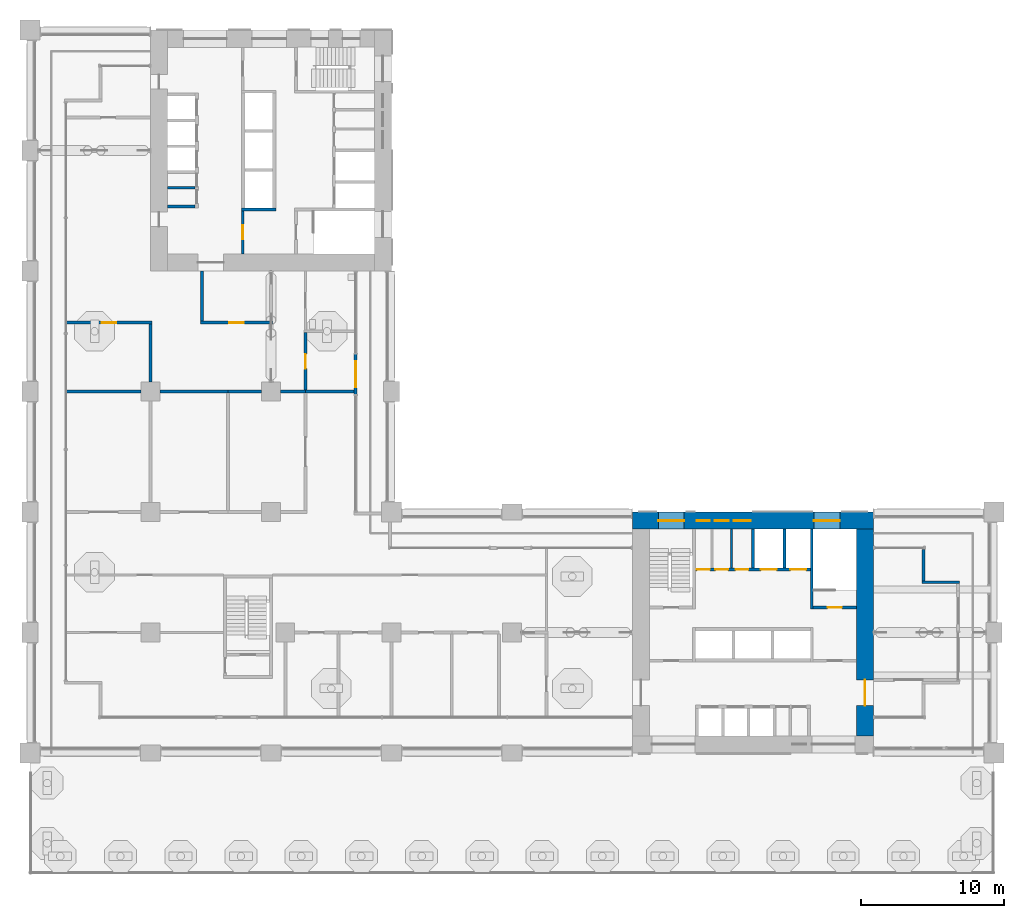
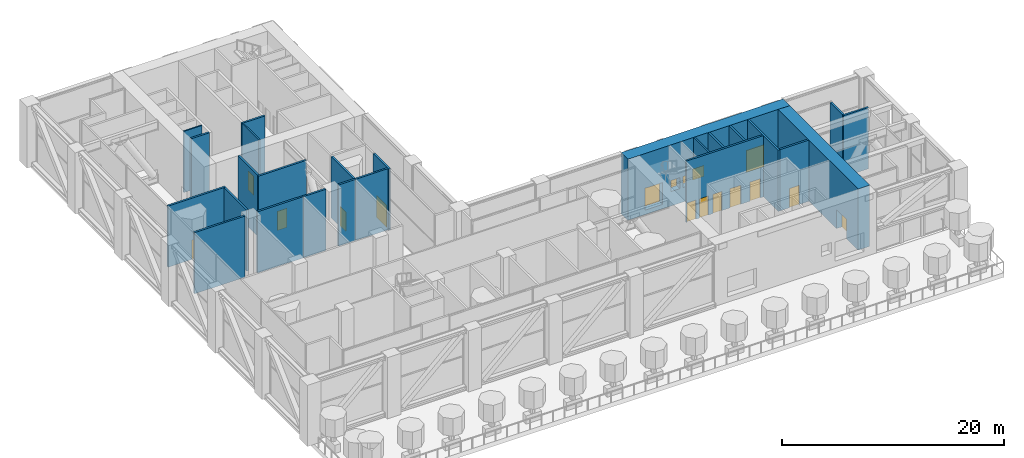
# One storey, part 12 of 28: 25 walls, 12 doors, 5 windows, 17 openings.
"""IFC4 building model written with IfcOpenShell, lengths in metres."""

from ifc_helpers import new_model, si_unit, direction, frame, frame_2d, origin, place, context, subcontext, project, spatial, rectangle, extrude, material, layer, layer_set, type_object, element, fill, save


model = new_model("IFC4")

# Units and contexts
model_context = context("Model", 3, precision=1e-05, world=origin(), true_north=direction((0.0, 1.0)))
body_context = subcontext(model_context, "Body", "Model", "MODEL_VIEW")
ifc_project = project(units=[si_unit("LENGTHUNIT", "METRE"), si_unit("AREAUNIT", "SQUARE_METRE"), si_unit("VOLUMEUNIT", "CUBIC_METRE"), si_unit("PLANEANGLEUNIT", "RADIAN"), si_unit("MASSUNIT", "GRAM", prefix="KILO")], contexts=[model_context])

# Site, building, storey
site_placement = place(None, origin())
site = spatial("IfcSite", under=ifc_project, at=site_placement, CompositionType="ELEMENT")
building_placement = place(site_placement, origin())
building = spatial("IfcBuilding", under=site, at=building_placement, Name="Vermilion Gate Residences", CompositionType="ELEMENT")
storey_placement = place(building_placement, frame((0.0, 0.0, 74.199951171875)))
storey = spatial("IfcBuildingStorey", under=building, at=storey_placement, Name="L18", CompositionType="ELEMENT", Elevation=74.199951171875)

# Walls
ifc_material_1 = material(Name="Masonry blockwork", Category="masonry")
ifc_layer_1 = layer(ifc_material_1, 0.14990234375)
ifc_layer_set_1 = layer_set([ifc_layer_1], Name="BLOCKWORK PARTITION 150 EI 120")
wall_type_1 = type_object("IfcWallType", Name="BLOCKWORK PARTITION 150 EI 120", PredefinedType="PARTITIONING", material=ifc_layer_set_1)
wall_1_placement = place(storey_placement, frame((48.89306640625, 21.300048828125, 0.0), z_axis=(0.0, 0.0, 1.0), x_axis=(0.0, 1.0, 0.0)))
element("IfcWall", 1, at=wall_1_placement, inside=storey, type_object=wall_type_1, Name="Core room partition A18-NR-P1", PredefinedType="PARTITIONING", context=body_context, shape_type="SweptSolid", body=[
    extrude(rectangle(XDim=2.699951171875, YDim=0.14990234375, at=frame_2d((1.35009765625, 0.0))), origin(), (0.0, 0.0, 1.0), 6.719970703125),
])
wall_2_placement = place(storey_placement, frame((9.60009765625, 47.802490234375, 0.0), z_axis=(0.0, 0.0, 1.0), x_axis=(1.0, 0.0, 0.0)))
element("IfcWall", 2, at=wall_2_placement, inside=storey, type_object=wall_type_1, Name="Core room partition B18-SR-P0", PredefinedType="PARTITIONING", context=body_context, shape_type="SweptSolid", body=[
    extrude(rectangle(XDim=1.89990234375, YDim=0.14990234375, at=frame_2d((0.949951171875, 0.0))), origin(), (0.0, 0.0, 1.0), 6.719970703125),
])

# Wall, opening, door
wall_3_placement = place(storey_placement, frame((14.824951171875, 46.199951171875, 0.0), z_axis=(0.0, 0.0, 1.0), x_axis=(0.0, -1.0, 0.0)))
wall_3 = element("IfcWall", 3, at=wall_3_placement, inside=storey, type_object=wall_type_1, Name="Core room partition B18-VE-S", PredefinedType="PARTITIONING", context=body_context, shape_type="SweptSolid", body=[
    extrude(rectangle(XDim=3.0, YDim=0.14990234375, at=frame_2d((1.5, 0.0))), origin(), (0.0, 0.0, 1.0), 6.719970703125),
])
opening_1_placement = place(wall_3_placement, frame((1.0, 0.0, 0.0)))
opening_1 = element("IfcOpeningElement", 4, at=opening_1_placement, cuts=wall_3, Name="Opening DK18116", PredefinedType="OPENING", context=body_context, shape_type="SweptSolid", body=[
    extrude(rectangle(XDim=1.0, YDim=2.10009765625, at=frame_2d((0.5, 1.050048828125))), frame((0.0, 0.0849609375, 0.0), z_axis=(0.0, -1.0, 0.0), x_axis=(1.0, 0.0, 0.0)), (0.0, 0.0, 1.0), 0.169921875),
])
ifc_material_2 = material(Name="Steel", Category="steel")
door_type_1 = type_object("IfcDoorType", Name="FIRE DOOR FD60 1000 X 2100", OperationType="SINGLE_SWING_LEFT", PredefinedType="DOOR", material=ifc_material_2)
door_1_placement = place(opening_1_placement, frame((1.0, 0.0, 0.0), z_axis=(0.0, 0.0, 1.0), x_axis=(-1.0, 0.0, 0.0)))
door_1 = element("IfcDoor", 5, at=door_1_placement, inside=storey, type_object=door_type_1, Name="Stair vestibule door B18", OperationType="SINGLE_SWING_LEFT", OverallHeight=2.10009765625, OverallWidth=1.0, PredefinedType="DOOR", context=body_context, shape_type="SweptSolid", body=[
    extrude(rectangle(XDim=1.0, YDim=2.10009765625, at=frame_2d((0.5, 1.050048828125))), frame((0.0, 0.02490234375, 0.0), z_axis=(0.0, -1.0, 0.0), x_axis=(1.0, 0.0, 0.0)), (0.0, 0.0, 1.0), 0.050048828125),
])
fill(opening_1, door_1)

# Walls
ifc_material_3 = material(Name="Insulated steel stud wall with terracotta rainscreen", Category="masonry")
ifc_layer_2 = layer(ifc_material_3, 0.199951171875)
ifc_layer_set_2 = layer_set([ifc_layer_2], Name="EXTERNAL WALL 200 TERRACOTTA RAINSCREEN")
wall_type_2 = type_object("IfcWallType", Name="EXTERNAL WALL 200 TERRACOTTA RAINSCREEN", PredefinedType="SOLIDWALL", material=ifc_layer_set_2)
wall_4_placement = place(storey_placement, frame((64.800048828125, 20.300048828125, 0.0), z_axis=(0.0, 0.0, 1.0), x_axis=(-1.0, 0.0, 0.0)))
element("IfcWall", 6, at=wall_4_placement, inside=storey, type_object=wall_type_2, Name="External wall", PredefinedType="SOLIDWALL", context=body_context, shape_type="SweptSolid", body=[
    extrude(rectangle(XDim=2.60009765625, YDim=0.199951171875, at=frame_2d((1.300048828125, 0.0))), origin(), (0.0, 0.0, 1.0), 6.719970703125),
])
wall_5_placement = place(storey_placement, frame((62.300048828125, 20.39990234375, 0.0), z_axis=(0.0, 0.0, 1.0), x_axis=(0.0, 1.0, 0.0)))
element("IfcWall", 7, at=wall_5_placement, inside=storey, type_object=wall_type_2, Name="External wall", PredefinedType="SOLIDWALL", context=body_context, shape_type="SweptSolid", body=[
    extrude(rectangle(XDim=2.2001953125, YDim=0.199951171875, at=frame_2d((1.10009765625, 0.0))), origin(), (0.0, 0.0, 1.0), 6.719970703125),
])

# Wall, opening, door
wall_6_placement = place(storey_placement, frame((22.699951171875, 33.39990234375, 0.0), z_axis=(0.0, 0.0, 1.0), x_axis=(0.0, 1.0, 0.0)))
wall_6 = element("IfcWall", 8, at=wall_6_placement, inside=storey, type_object=wall_type_2, Name="External wall", PredefinedType="SOLIDWALL", context=body_context, shape_type="SweptSolid", body=[
    extrude(rectangle(XDim=2.800048828125, YDim=0.199951171875, at=frame_2d((1.39990234375, 0.0))), origin(), (0.0, 0.0, 1.0), 6.719970703125),
])
opening_2_placement = place(wall_6_placement, frame((0.5, 0.0, 0.0)))
opening_2 = element("IfcOpeningElement", 9, at=opening_2_placement, cuts=wall_6, Name="Opening DE18004", PredefinedType="OPENING", context=body_context, shape_type="SweptSolid", body=[
    extrude(rectangle(XDim=1.800048828125, YDim=2.39990234375, at=frame_2d((0.89990234375, 1.199951171875))), frame((0.0, 0.10986328125, 0.0), z_axis=(0.0, -1.0, 0.0), x_axis=(1.0, 0.0, 0.0)), (0.0, 0.0, 1.0), 0.219970703125),
])
ifc_material_4 = material(Name="Aluminium and clear glass", Category="aluminium")
door_type_2 = type_object("IfcDoorType", Name="GLAZED EXTERNAL DOOR 1800 X 2400", OperationType="DOUBLE_DOOR_SINGLE_SWING", PredefinedType="DOOR", material=ifc_material_4)
door_2_placement = place(opening_2_placement, frame((1.800048828125, 0.0, 0.0), z_axis=(0.0, 0.0, 1.0), x_axis=(-1.0, 0.0, 0.0)))
door_2 = element("IfcDoor", 10, at=door_2_placement, inside=storey, type_object=door_type_2, Name="Terrace door", OperationType="DOUBLE_DOOR_SINGLE_SWING", OverallHeight=2.39990234375, OverallWidth=1.800048828125, PredefinedType="DOOR", context=body_context, shape_type="SweptSolid", body=[
    extrude(rectangle(XDim=1.800048828125, YDim=2.39990234375, at=frame_2d((0.89990234375, 1.199951171875))), frame((0.0, 0.02490234375, 0.0), z_axis=(0.0, -1.0, 0.0), x_axis=(1.0, 0.0, 0.0)), (0.0, 0.0, 1.0), 0.050048828125),
])
fill(opening_2, door_2)

# Wall
ifc_material_5 = material(Name="Concrete blockwork", Category="masonry")
ifc_layer_3 = layer(ifc_material_5, 0.199951171875)
ifc_layer_set_3 = layer_set([ifc_layer_3], Name="FIRE WALL 200 EI 120 (AMENITY)")
wall_type_3 = type_object("IfcWallType", Name="FIRE WALL 200 EI 120 (AMENITY)", PredefinedType="PARTITIONING", material=ifc_layer_set_3)
wall_7_placement = place(storey_placement, frame((2.5, 33.60009765625, 0.0), z_axis=(0.0, 0.0, 1.0), x_axis=(1.0, 0.0, 0.0)))
element("IfcWall", 11, at=wall_7_placement, inside=storey, type_object=wall_type_3, Name="Fire-resisting wall 5", PredefinedType="PARTITIONING", context=body_context, shape_type="SweptSolid", body=[
    extrude(rectangle(XDim=5.25, YDim=0.199951171875, at=frame_2d((2.625, 0.0))), origin(), (0.0, 0.0, 1.0), 6.719970703125),
])

# Wall, opening, door
wall_8_placement = place(storey_placement, frame((2.5, 38.39990234375, 0.0), z_axis=(0.0, 0.0, 1.0), x_axis=(1.0, 0.0, 0.0)))
wall_8 = element("IfcWall", 12, at=wall_8_placement, inside=storey, type_object=wall_type_3, Name="Fire-resisting wall 6", PredefinedType="PARTITIONING", context=body_context, shape_type="SweptSolid", body=[
    extrude(rectangle(XDim=6.0, YDim=0.199951171875, at=frame_2d((3.0, 0.0))), origin(), (0.0, 0.0, 1.0), 6.719970703125),
])
opening_3_placement = place(wall_8_placement, frame((2.5, 0.0, 0.0)))
opening_3 = element("IfcOpeningElement", 13, at=opening_3_placement, cuts=wall_8, Name="Opening DM18015", PredefinedType="OPENING", context=body_context, shape_type="SweptSolid", body=[
    extrude(rectangle(XDim=1.0, YDim=2.10009765625, at=frame_2d((0.5, 1.050048828125))), frame((0.0, 0.10986328125, 0.0), z_axis=(0.0, -1.0, 0.0), x_axis=(1.0, 0.0, 0.0)), (0.0, 0.0, 1.0), 0.219970703125),
])
ifc_material_6 = material(Name="Steel", Category="steel")
door_type_3 = type_object("IfcDoorType", Name="DOOR 1000 X 2100 FD60 (AMENITY)", OperationType="SINGLE_SWING_LEFT", PredefinedType="DOOR", material=ifc_material_6)
door_3_placement = place(opening_3_placement, frame((1.0, 0.0, 0.0), z_axis=(0.0, 0.0, 1.0), x_axis=(-1.0, 0.0, 0.0)))
door_3 = element("IfcDoor", 14, at=door_3_placement, inside=storey, type_object=door_type_3, Name="Door L18 15", OperationType="SINGLE_SWING_RIGHT", OverallHeight=2.10009765625, OverallWidth=1.0, PredefinedType="DOOR", context=body_context, shape_type="SweptSolid", body=[
    extrude(rectangle(XDim=1.0, YDim=2.10009765625, at=frame_2d((0.5, 1.050048828125))), frame((0.0, 0.02490234375, 0.0), z_axis=(0.0, -1.0, 0.0), x_axis=(1.0, 0.0, 0.0)), (0.0, 0.0, 1.0), 0.050048828125),
])
fill(opening_3, door_3)

# Walls
wall_9_placement = place(storey_placement, frame((8.39990234375, 34.25, 0.0), z_axis=(0.0, 0.0, 1.0), x_axis=(0.0, 1.0, 0.0)))
element("IfcWall", 15, at=wall_9_placement, inside=storey, type_object=wall_type_3, Name="Fire-resisting wall 10", PredefinedType="PARTITIONING", context=body_context, shape_type="SweptSolid", body=[
    extrude(rectangle(XDim=4.050048828125, YDim=0.199951171875, at=frame_2d((2.02490234375, 0.0))), origin(), (0.0, 0.0, 1.0), 6.719970703125),
])
wall_10_placement = place(storey_placement, frame((9.050048828125, 33.60009765625, 0.0), z_axis=(0.0, 0.0, 1.0), x_axis=(1.0, 0.0, 0.0)))
element("IfcWall", 16, at=wall_10_placement, inside=storey, type_object=wall_type_3, Name="Fire-resisting wall 11", PredefinedType="PARTITIONING", context=body_context, shape_type="SweptSolid", body=[
    extrude(rectangle(XDim=4.75, YDim=0.199951171875, at=frame_2d((2.375, 0.0))), origin(), (0.0, 0.0, 1.0), 6.719970703125),
])
wall_11_placement = place(storey_placement, frame((12.0, 38.5, 0.0), z_axis=(0.0, 0.0, 1.0), x_axis=(0.0, 1.0, 0.0)))
element("IfcWall", 17, at=wall_11_placement, inside=storey, type_object=wall_type_3, Name="Fire-resisting wall 12", PredefinedType="PARTITIONING", context=body_context, shape_type="SweptSolid", body=[
    extrude(rectangle(XDim=3.5, YDim=0.199951171875, at=frame_2d((1.75, 0.0))), origin(), (0.0, 0.0, 1.0), 6.719970703125),
])

# Wall, opening, door
wall_12_placement = place(storey_placement, frame((11.89990234375, 38.39990234375, 0.0), z_axis=(0.0, 0.0, 1.0), x_axis=(1.0, 0.0, 0.0)))
wall_12 = element("IfcWall", 18, at=wall_12_placement, inside=storey, type_object=wall_type_3, Name="Fire-resisting wall 13", PredefinedType="PARTITIONING", context=body_context, shape_type="SweptSolid", body=[
    extrude(rectangle(XDim=5.0, YDim=0.199951171875, at=frame_2d((2.5, 0.0))), origin(), (0.0, 0.0, 1.0), 6.719970703125),
])
opening_4_placement = place(wall_12_placement, frame((2.0, 0.0, 0.0)))
opening_4 = element("IfcOpeningElement", 19, at=opening_4_placement, cuts=wall_12, Name="Opening DM18012", PredefinedType="OPENING", context=body_context, shape_type="SweptSolid", body=[
    extrude(rectangle(XDim=1.0, YDim=2.10009765625, at=frame_2d((0.5, 1.050048828125))), frame((0.0, 0.10986328125, 0.0), z_axis=(0.0, -1.0, 0.0), x_axis=(1.0, 0.0, 0.0)), (0.0, 0.0, 1.0), 0.219970703125),
])
door_4_placement = place(opening_4_placement, frame((1.0, 0.0, 0.0), z_axis=(0.0, 0.0, 1.0), x_axis=(-1.0, 0.0, 0.0)))
door_4 = element("IfcDoor", 20, at=door_4_placement, inside=storey, type_object=door_type_3, Name="Door L18 12", OperationType="SINGLE_SWING_RIGHT", OverallHeight=2.10009765625, OverallWidth=1.0, PredefinedType="DOOR", context=body_context, shape_type="SweptSolid", body=[
    extrude(rectangle(XDim=1.0, YDim=2.10009765625, at=frame_2d((0.5, 1.050048828125))), frame((0.0, 0.02490234375, 0.0), z_axis=(0.0, -1.0, 0.0), x_axis=(1.0, 0.0, 0.0)), (0.0, 0.0, 1.0), 0.050048828125),
])
fill(opening_4, door_4)

# Walls
wall_13_placement = place(storey_placement, frame((13.800048828125, 33.60009765625, 0.0), z_axis=(0.0, 0.0, 1.0), x_axis=(1.0, 0.0, 0.0)))
element("IfcWall", 21, at=wall_13_placement, inside=storey, type_object=wall_type_3, Name="Fire-resisting wall 17", PredefinedType="PARTITIONING", context=body_context, shape_type="SweptSolid", body=[
    extrude(rectangle(XDim=2.349853515625, YDim=0.199951171875, at=frame_2d((1.1748046875, 0.0))), origin(), (0.0, 0.0, 1.0), 6.719970703125),
])
wall_14_placement = place(storey_placement, frame((17.449951171875, 33.60009765625, 0.0), z_axis=(0.0, 0.0, 1.0), x_axis=(1.0, 0.0, 0.0)))
element("IfcWall", 22, at=wall_14_placement, inside=storey, type_object=wall_type_3, Name="Fire-resisting wall 18", PredefinedType="PARTITIONING", context=body_context, shape_type="SweptSolid", body=[
    extrude(rectangle(XDim=1.75, YDim=0.199951171875, at=frame_2d((0.875, 0.0))), origin(), (0.0, 0.0, 1.0), 6.719970703125),
])

# Wall, opening, door
wall_15_placement = place(storey_placement, frame((19.199951171875, 33.699951171875, 0.0), z_axis=(0.0, 0.0, 1.0), x_axis=(0.0, 1.0, 0.0)))
wall_15 = element("IfcWall", 23, at=wall_15_placement, inside=storey, type_object=wall_type_3, Name="Fire-resisting wall 24", PredefinedType="PARTITIONING", context=body_context, shape_type="SweptSolid", body=[
    extrude(rectangle(XDim=4.0, YDim=0.199951171875, at=frame_2d((2.0, 0.0))), origin(), (0.0, 0.0, 1.0), 6.719970703125),
])
opening_5_placement = place(wall_15_placement, frame((1.5, 0.0, 0.0)))
opening_5 = element("IfcOpeningElement", 24, at=opening_5_placement, cuts=wall_15, Name="Opening DM18008", PredefinedType="OPENING", context=body_context, shape_type="SweptSolid", body=[
    extrude(rectangle(XDim=1.0, YDim=2.10009765625, at=frame_2d((0.5, 1.050048828125))), frame((0.0, 0.10986328125, 0.0), z_axis=(0.0, -1.0, 0.0), x_axis=(1.0, 0.0, 0.0)), (0.0, 0.0, 1.0), 0.219970703125),
])
door_5_placement = place(opening_5_placement, origin())
door_5 = element("IfcDoor", 25, at=door_5_placement, inside=storey, type_object=door_type_3, Name="Door L18 8", OperationType="SINGLE_SWING_LEFT", OverallHeight=2.10009765625, OverallWidth=1.0, PredefinedType="DOOR", context=body_context, shape_type="SweptSolid", body=[
    extrude(rectangle(XDim=1.0, YDim=2.10009765625, at=frame_2d((0.5, 1.050048828125))), frame((0.0, 0.02490234375, 0.0), z_axis=(0.0, -1.0, 0.0), x_axis=(1.0, 0.0, 0.0)), (0.0, 0.0, 1.0), 0.050048828125),
])
fill(opening_5, door_5)

# Walls
wall_16_placement = place(storey_placement, frame((19.199951171875, 33.60009765625, 0.0), z_axis=(0.0, 0.0, 1.0), x_axis=(1.0, 0.0, 0.0)))
element("IfcWall", 26, at=wall_16_placement, inside=storey, type_object=wall_type_3, Name="Fire-resisting wall 25", PredefinedType="PARTITIONING", context=body_context, shape_type="SweptSolid", body=[
    extrude(rectangle(XDim=3.5, YDim=0.199951171875, at=frame_2d((1.75, 0.0))), origin(), (0.0, 0.0, 1.0), 6.719970703125),
])
ifc_material_7 = material(Name="Concrete C60", Category="concrete")
ifc_layer_4 = layer(ifc_material_7, 0.199951171875)
ifc_layer_set_4 = layer_set([ifc_layer_4], Name="RC CORE INTERNAL WALL 200 C60")
wall_type_4 = type_object("IfcWallType", Name="RC CORE INTERNAL WALL 200 C60", PredefinedType="SHEAR", material=ifc_layer_set_4)
for number, where, z_axis, x_axis, name in (
    (27, (50.39990234375, 21.300048828125, 0.0), (0.0, 0.0, 1.0), (0.0, 1.0, 0.0), "Core internal wall A18-FF-D0"),
    (28, (52.60009765625, 21.300048828125, 0.0), (0.0, 0.0, 1.0), (0.0, 1.0, 0.0), "Core internal wall A18-FF-D1"),
):
    element("IfcWall", number, at=place(storey_placement, frame(where, z_axis=z_axis, x_axis=x_axis)), inside=storey, type_object=wall_type_4, Name=name, PredefinedType="SHEAR", context=body_context, shape_type="SweptSolid", body=[
        extrude(rectangle(XDim=2.699951171875, YDim=0.199951171875, at=frame_2d((1.35009765625, 0.0))), origin(), (0.0, 0.0, 1.0), 6.719970703125),
    ])

# Wall, openings, doors
wall_17_placement = place(storey_placement, frame((46.39990234375, 21.199951171875, 0.0), z_axis=(0.0, 0.0, 1.0), x_axis=(1.0, 0.0, 0.0)))
wall_17 = element("IfcWall", 29, at=wall_17_placement, inside=storey, type_object=wall_type_4, Name="Core internal wall A18-FF-F", PredefinedType="SHEAR", context=body_context, shape_type="SweptSolid", body=[
    extrude(rectangle(XDim=8.0, YDim=0.199951171875, at=frame_2d((4.0, 0.0))), origin(), (0.0, 0.0, 1.0), 6.719970703125),
])
opening_6_placement = place(wall_17_placement, frame((0.090087890625, 0.0, 0.0)))
opening_6 = element("IfcOpeningElement", 30, at=opening_6_placement, cuts=wall_17, Name="Opening DK18008", PredefinedType="OPENING", context=body_context, shape_type="SweptSolid", body=[
    extrude(rectangle(XDim=0.89990234375, YDim=2.10009765625, at=frame_2d((0.449951171875, 1.050048828125))), frame((0.0, 0.10986328125, 0.0), z_axis=(0.0, -1.0, 0.0), x_axis=(1.0, 0.0, 0.0)), (0.0, 0.0, 1.0), 0.219970703125),
])
opening_7_placement = place(wall_17_placement, frame((1.3740234375, 0.0, 0.0)))
opening_7 = element("IfcOpeningElement", 31, at=opening_7_placement, cuts=wall_17, Name="Opening DK18009", PredefinedType="OPENING", context=body_context, shape_type="SweptSolid", body=[
    extrude(rectangle(XDim=0.89990234375, YDim=2.10009765625, at=frame_2d((0.449951171875, 1.050048828125))), frame((0.0, 0.10986328125, 0.0), z_axis=(0.0, -1.0, 0.0), x_axis=(1.0, 0.0, 0.0)), (0.0, 0.0, 1.0), 0.219970703125),
])
opening_8_placement = place(wall_17_placement, frame((2.783935546875, 0.0, 0.0)))
opening_8 = element("IfcOpeningElement", 32, at=opening_8_placement, cuts=wall_17, Name="Opening DK18010", PredefinedType="OPENING", context=body_context, shape_type="SweptSolid", body=[
    extrude(rectangle(XDim=0.89990234375, YDim=2.10009765625, at=frame_2d((0.449951171875, 1.050048828125))), frame((0.0, 0.10986328125, 0.0), z_axis=(0.0, -1.0, 0.0), x_axis=(1.0, 0.0, 0.0)), (0.0, 0.0, 1.0), 0.219970703125),
])
opening_9_placement = place(wall_17_placement, frame((4.550048828125, 0.0, 0.0)))
opening_9 = element("IfcOpeningElement", 33, at=opening_9_placement, cuts=wall_17, Name="Opening LD", PredefinedType="OPENING", context=body_context, shape_type="SweptSolid", body=[
    extrude(rectangle(XDim=1.10009765625, YDim=2.10009765625, at=frame_2d((0.550048828125, 1.050048828125))), frame((0.0, 0.10986328125, 0.0), z_axis=(0.0, -1.0, 0.0), x_axis=(1.0, 0.0, 0.0)), (0.0, 0.0, 1.0), 0.219970703125),
])
opening_10_placement = place(wall_17_placement, frame((6.60009765625, 0.0, 0.0)))
opening_10 = element("IfcOpeningElement", 34, at=opening_10_placement, cuts=wall_17, Name="Opening LD", PredefinedType="OPENING", context=body_context, shape_type="SweptSolid", body=[
    extrude(rectangle(XDim=1.10009765625, YDim=2.10009765625, at=frame_2d((0.550048828125, 1.050048828125))), frame((0.0, 0.10986328125, 0.0), z_axis=(0.0, -1.0, 0.0), x_axis=(1.0, 0.0, 0.0)), (0.0, 0.0, 1.0), 0.219970703125),
])
ifc_material_8 = material(Name="Stainless steel", Category="steel")
door_type_4 = type_object("IfcDoorType", Name="LIFT LANDING DOOR E60 1100 X 2100", OperationType="DOUBLE_DOOR_SLIDING", PredefinedType="DOOR", material=ifc_material_8)
door_6_placement = place(opening_9_placement, origin())
door_6 = element("IfcDoor", 35, at=door_6_placement, inside=storey, type_object=door_type_4, Name="Lift landing door LFA1", OperationType="DOUBLE_DOOR_SLIDING", OverallHeight=2.10009765625, OverallWidth=1.10009765625, PredefinedType="DOOR", context=body_context, shape_type="SweptSolid", body=[
    extrude(rectangle(XDim=1.10009765625, YDim=2.10009765625, at=frame_2d((0.550048828125, 1.050048828125))), frame((0.0, 0.02490234375, 0.0), z_axis=(0.0, -1.0, 0.0), x_axis=(1.0, 0.0, 0.0)), (0.0, 0.0, 1.0), 0.050048828125),
])
fill(opening_9, door_6)
door_7_placement = place(opening_10_placement, origin())
door_7 = element("IfcDoor", 36, at=door_7_placement, inside=storey, type_object=door_type_4, Name="Lift landing door LCA1", OperationType="DOUBLE_DOOR_SLIDING", OverallHeight=2.10009765625, OverallWidth=1.10009765625, PredefinedType="DOOR", context=body_context, shape_type="SweptSolid", body=[
    extrude(rectangle(XDim=1.10009765625, YDim=2.10009765625, at=frame_2d((0.550048828125, 1.050048828125))), frame((0.0, 0.02490234375, 0.0), z_axis=(0.0, -1.0, 0.0), x_axis=(1.0, 0.0, 0.0)), (0.0, 0.0, 1.0), 0.050048828125),
])
fill(opening_10, door_7)
ifc_material_9 = material(Name="Steel", Category="steel")
door_type_5 = type_object("IfcDoorType", Name="SERVICE ROOM DOOR FD60 900 X 2100", OperationType="SINGLE_SWING_LEFT", PredefinedType="DOOR", material=ifc_material_9)
door_8_placement = place(opening_6_placement, frame((0.89990234375, 0.0, 0.0), z_axis=(0.0, 0.0, 1.0), x_axis=(-1.0, 0.0, 0.0)))
door_8 = element("IfcDoor", 37, at=door_8_placement, inside=storey, type_object=door_type_5, Name="Zone chilled water pump plant room A18", OperationType="SINGLE_SWING_RIGHT", OverallHeight=2.10009765625, OverallWidth=0.89990234375, PredefinedType="DOOR", context=body_context, shape_type="SweptSolid", body=[
    extrude(rectangle(XDim=0.89990234375, YDim=2.10009765625, at=frame_2d((0.449951171875, 1.050048828125))), frame((0.0, 0.02490234375, 0.0), z_axis=(0.0, -1.0, 0.0), x_axis=(1.0, 0.0, 0.0)), (0.0, 0.0, 1.0), 0.050048828125),
])
fill(opening_6, door_8)
door_9_placement = place(opening_7_placement, frame((0.89990234375, 0.0, 0.0), z_axis=(0.0, 0.0, 1.0), x_axis=(-1.0, 0.0, 0.0)))
door_9 = element("IfcDoor", 38, at=door_9_placement, inside=storey, type_object=door_type_5, Name="AHU plant room A18", OperationType="SINGLE_SWING_RIGHT", OverallHeight=2.10009765625, OverallWidth=0.89990234375, PredefinedType="DOOR", context=body_context, shape_type="SweptSolid", body=[
    extrude(rectangle(XDim=0.89990234375, YDim=2.10009765625, at=frame_2d((0.449951171875, 1.050048828125))), frame((0.0, 0.02490234375, 0.0), z_axis=(0.0, -1.0, 0.0), x_axis=(1.0, 0.0, 0.0)), (0.0, 0.0, 1.0), 0.050048828125),
])
fill(opening_7, door_9)
door_10_placement = place(opening_8_placement, frame((0.89990234375, 0.0, 0.0), z_axis=(0.0, 0.0, 1.0), x_axis=(-1.0, 0.0, 0.0)))
door_10 = element("IfcDoor", 39, at=door_10_placement, inside=storey, type_object=door_type_5, Name="Smoke extract plant room A18", OperationType="SINGLE_SWING_RIGHT", OverallHeight=2.10009765625, OverallWidth=0.89990234375, PredefinedType="DOOR", context=body_context, shape_type="SweptSolid", body=[
    extrude(rectangle(XDim=0.89990234375, YDim=2.10009765625, at=frame_2d((0.449951171875, 1.050048828125))), frame((0.0, 0.02490234375, 0.0), z_axis=(0.0, -1.0, 0.0), x_axis=(1.0, 0.0, 0.0)), (0.0, 0.0, 1.0), 0.050048828125),
])
fill(opening_8, door_10)

# Wall
wall_18_placement = place(storey_placement, frame((54.5, 18.449951171875, 0.0), z_axis=(0.0, 0.0, 1.0), x_axis=(0.0, 1.0, 0.0)))
element("IfcWall", 40, at=wall_18_placement, inside=storey, type_object=wall_type_4, Name="Core internal wall A18-EDIV2", PredefinedType="SHEAR", context=body_context, shape_type="SweptSolid", body=[
    extrude(rectangle(XDim=5.550048828125, YDim=0.199951171875, at=frame_2d((2.77490234375, 0.0))), origin(), (0.0, 0.0, 1.0), 6.719970703125),
])

# Wall, opening, door
wall_19_placement = place(storey_placement, frame((54.60009765625, 18.550048828125, 0.0), z_axis=(0.0, 0.0, 1.0), x_axis=(1.0, 0.0, 0.0)))
wall_19 = element("IfcWall", 41, at=wall_19_placement, inside=storey, type_object=wall_type_4, Name="Core internal wall A18-STE-S", PredefinedType="SHEAR", context=body_context, shape_type="SweptSolid", body=[
    extrude(rectangle(XDim=3.0, YDim=0.199951171875, at=frame_2d((1.5, 0.0))), origin(), (0.0, 0.0, 1.0), 6.719970703125),
])
opening_11_placement = place(wall_19_placement, frame((1.0, 0.0, 0.0)))
opening_11 = element("IfcOpeningElement", 42, at=opening_11_placement, cuts=wall_19, Name="Opening DK18016", PredefinedType="OPENING", context=body_context, shape_type="SweptSolid", body=[
    extrude(rectangle(XDim=1.0, YDim=2.10009765625, at=frame_2d((0.5, 1.050048828125))), frame((0.0, 0.10986328125, 0.0), z_axis=(0.0, -1.0, 0.0), x_axis=(1.0, 0.0, 0.0)), (0.0, 0.0, 1.0), 0.219970703125),
])
door_11_placement = place(opening_11_placement, origin())
door_11 = element("IfcDoor", 43, at=door_11_placement, inside=storey, type_object=door_type_1, Name="Stair door A18", OperationType="SINGLE_SWING_LEFT", OverallHeight=2.10009765625, OverallWidth=1.0, PredefinedType="DOOR", context=body_context, shape_type="SweptSolid", body=[
    extrude(rectangle(XDim=1.0, YDim=2.10009765625, at=frame_2d((0.5, 1.050048828125))), frame((0.0, 0.02490234375, 0.0), z_axis=(0.0, -1.0, 0.0), x_axis=(1.0, 0.0, 0.0)), (0.0, 0.0, 1.0), 0.050048828125),
])
fill(opening_11, door_11)

# Walls
wall_20_placement = place(storey_placement, frame((9.60009765625, 46.5, 0.0), z_axis=(0.0, 0.0, 1.0), x_axis=(1.0, 0.0, 0.0)))
element("IfcWall", 44, at=wall_20_placement, inside=storey, type_object=wall_type_4, Name="Core internal wall B18-LR-DE", PredefinedType="SHEAR", context=body_context, shape_type="SweptSolid", body=[
    extrude(rectangle(XDim=1.89990234375, YDim=0.199951171875, at=frame_2d((0.949951171875, 0.0))), origin(), (0.0, 0.0, 1.0), 6.719970703125),
])
wall_21_placement = place(storey_placement, frame((14.75, 46.300048828125, 0.0), z_axis=(0.0, 0.0, 1.0), x_axis=(1.0, 0.0, 0.0)))
element("IfcWall", 45, at=wall_21_placement, inside=storey, type_object=wall_type_4, Name="Core internal wall B18-EDIV1", PredefinedType="SHEAR", context=body_context, shape_type="SweptSolid", body=[
    extrude(rectangle(XDim=2.39990234375, YDim=0.199951171875, at=frame_2d((1.199951171875, 0.0))), origin(), (0.0, 0.0, 1.0), 6.719970703125),
])

# Wall, opening, door
ifc_material_10 = material(Name="Concrete C80", Category="concrete")
ifc_layer_5 = layer(ifc_material_10, 1.199951171875)
ifc_layer_set_5 = layer_set([ifc_layer_5], Name="RC CORE WALL 1200 C80")
wall_type_5 = type_object("IfcWallType", Name="RC CORE WALL 1200 C80", PredefinedType="SHEAR", material=ifc_layer_set_5)
wall_22_placement = place(storey_placement, frame((58.199951171875, 9.60009765625, 0.0), z_axis=(0.0, 0.0, 1.0), x_axis=(0.0, 1.0, 0.0)))
wall_22 = element("IfcWall", 46, at=wall_22_placement, inside=storey, type_object=wall_type_5, Name="Core wall A18-OUT-BK", PredefinedType="SHEAR", context=body_context, shape_type="SweptSolid", body=[
    extrude(rectangle(XDim=14.39990234375, YDim=1.199951171875, at=frame_2d((7.199951171875, 0.0))), origin(), (0.0, 0.0, 1.0), 6.719970703125),
])
opening_12_placement = place(wall_22_placement, frame((2.10009765625, 0.0, 0.0)))
opening_12 = element("IfcOpeningElement", 47, at=opening_12_placement, cuts=wall_22, Name="Opening DK18002", PredefinedType="OPENING", context=body_context, shape_type="SweptSolid", body=[
    extrude(rectangle(XDim=1.800048828125, YDim=2.10009765625, at=frame_2d((0.89990234375, 1.050048828125))), frame((0.0, 0.60986328125, 0.0), z_axis=(0.0, -1.0, 0.0), x_axis=(1.0, 0.0, 0.0)), (0.0, 0.0, 1.0), 1.219970703125),
])
ifc_material_11 = material(Name="Steel", Category="steel")
door_type_6 = type_object("IfcDoorType", Name="CORE LOBBY DOOR FD60 1800 X 2100", OperationType="DOUBLE_DOOR_SINGLE_SWING", PredefinedType="DOOR", material=ifc_material_11)
door_12_placement = place(opening_12_placement, origin())
door_12 = element("IfcDoor", 48, at=door_12_placement, inside=storey, type_object=door_type_6, Name="Core lobby door A18", OperationType="DOUBLE_DOOR_SINGLE_SWING", OverallHeight=2.10009765625, OverallWidth=1.800048828125, PredefinedType="DOOR", context=body_context, shape_type="SweptSolid", body=[
    extrude(rectangle(XDim=1.800048828125, YDim=2.10009765625, at=frame_2d((0.89990234375, 1.050048828125))), frame((0.0, 0.02490234375, 0.0), z_axis=(0.0, -1.0, 0.0), x_axis=(1.0, 0.0, 0.0)), (0.0, 0.0, 1.0), 0.050048828125),
])
fill(opening_12, door_12)

# Wall, openings, windows
ifc_material_12 = material(Name="Concrete C80 red-oxide pigmented", Category="concrete")
ifc_layer_6 = layer(ifc_material_12, 1.199951171875)
ifc_layer_set_6 = layer_set([ifc_layer_6], Name="RC CORE WALL 1200 C80 RED OXIDE")
wall_type_6 = type_object("IfcWallType", Name="RC CORE WALL 1200 C80 RED OXIDE", PredefinedType="SHEAR", material=ifc_layer_set_6)
wall_23_placement = place(storey_placement, frame((42.0, 24.60009765625, 0.0), z_axis=(0.0, 0.0, 1.0), x_axis=(1.0, 0.0, 0.0)))
wall_23 = element("IfcWall", 49, at=wall_23_placement, inside=storey, type_object=wall_type_6, Name="Core wall A18-OUT-B1", PredefinedType="SHEAR", context=body_context, shape_type="SweptSolid", body=[
    extrude(rectangle(XDim=16.800048828125, YDim=1.199951171875, at=frame_2d((8.39990234375, 0.0))), origin(), (0.0, 0.0, 1.0), 6.719970703125),
])
opening_13_placement = place(wall_23_placement, frame((1.800048828125, 0.0, 0.5)))
opening_13 = element("IfcOpeningElement", 50, at=opening_13_placement, cuts=wall_23, Name="Opening WKA1804", PredefinedType="OPENING", context=body_context, shape_type="SweptSolid", body=[
    extrude(rectangle(XDim=1.800048828125, YDim=2.39990234375, at=frame_2d((0.89990234375, 1.199951171875))), frame((0.0, 0.60986328125, 0.0), z_axis=(0.0, -1.0, 0.0), x_axis=(1.0, 0.0, 0.0)), (0.0, 0.0, 1.0), 1.219970703125),
])
opening_14_placement = place(wall_23_placement, frame((4.489990234375, 0.0, 1.60009765625)))
opening_14 = element("IfcOpeningElement", 51, at=opening_14_placement, cuts=wall_23, Name="Opening WKA1805", PredefinedType="OPENING", context=body_context, shape_type="SweptSolid", body=[
    extrude(rectangle(XDim=0.89990234375, YDim=1.199951171875, at=frame_2d((0.449951171875, 0.60009765625))), frame((0.0, 0.60986328125, 0.0), z_axis=(0.0, -1.0, 0.0), x_axis=(1.0, 0.0, 0.0)), (0.0, 0.0, 1.0), 1.219970703125),
])
opening_15_placement = place(wall_23_placement, frame((5.72412109375, 0.0, 1.60009765625)))
opening_15 = element("IfcOpeningElement", 52, at=opening_15_placement, cuts=wall_23, Name="Opening WKA1806", PredefinedType="OPENING", context=body_context, shape_type="SweptSolid", body=[
    extrude(rectangle(XDim=1.0, YDim=1.199951171875, at=frame_2d((0.5, 0.60009765625))), frame((0.0, 0.60986328125, 0.0), z_axis=(0.0, -1.0, 0.0), x_axis=(1.0, 0.0, 0.0)), (0.0, 0.0, 1.0), 1.219970703125),
])
opening_16_placement = place(wall_23_placement, frame((7.050048828125, 0.0, 1.60009765625)))
opening_16 = element("IfcOpeningElement", 53, at=opening_16_placement, cuts=wall_23, Name="Opening WKA1807", PredefinedType="OPENING", context=body_context, shape_type="SweptSolid", body=[
    extrude(rectangle(XDim=1.199951171875, YDim=1.199951171875, at=frame_2d((0.60009765625, 0.60009765625))), frame((0.0, 0.60986328125, 0.0), z_axis=(0.0, -1.0, 0.0), x_axis=(1.0, 0.0, 0.0)), (0.0, 0.0, 1.0), 1.219970703125),
])
opening_17_placement = place(wall_23_placement, frame((12.64990234375, 0.0, 0.5)))
opening_17 = element("IfcOpeningElement", 54, at=opening_17_placement, cuts=wall_23, Name="Opening WKA1808", PredefinedType="OPENING", context=body_context, shape_type="SweptSolid", body=[
    extrude(rectangle(XDim=1.800048828125, YDim=2.39990234375, at=frame_2d((0.89990234375, 1.199951171875))), frame((0.0, 0.60986328125, 0.0), z_axis=(0.0, -1.0, 0.0), x_axis=(1.0, 0.0, 0.0)), (0.0, 0.0, 1.0), 1.219970703125),
])
ifc_material_13 = material(Name="Aluminium frame with louvre blades", Category="aluminium")
window_type_1 = type_object("IfcWindowType", Name="CORE LOUVRE 1000 X 1200", PartitioningType="SINGLE_PANEL", PredefinedType="WINDOW", material=ifc_material_13)
window_1_placement = place(opening_15_placement, origin())
window_1 = element("IfcWindow", 55, at=window_1_placement, inside=storey, type_object=window_type_1, Name="Core louvre", OverallHeight=1.199951171875, OverallWidth=1.0, PartitioningType="SINGLE_PANEL", PredefinedType="WINDOW", context=body_context, shape_type="SweptSolid", body=[
    extrude(rectangle(XDim=1.0, YDim=1.199951171875, at=frame_2d((0.5, 0.60009765625))), frame((0.0, 0.030029296875, 0.0), z_axis=(0.0, -1.0, 0.0), x_axis=(1.0, 0.0, 0.0)), (0.0, 0.0, 1.0), 0.06005859375),
])
fill(opening_15, window_1)
ifc_material_14 = material(Name="Aluminium frame with louvre blades", Category="aluminium")
window_type_2 = type_object("IfcWindowType", Name="CORE LOUVRE 1200 X 1200", PartitioningType="SINGLE_PANEL", PredefinedType="WINDOW", material=ifc_material_14)
window_2_placement = place(opening_16_placement, origin())
window_2 = element("IfcWindow", 56, at=window_2_placement, inside=storey, type_object=window_type_2, Name="Core louvre", OverallHeight=1.199951171875, OverallWidth=1.199951171875, PartitioningType="SINGLE_PANEL", PredefinedType="WINDOW", context=body_context, shape_type="SweptSolid", body=[
    extrude(rectangle(XDim=1.199951171875, YDim=1.199951171875, at=frame_2d((0.60009765625, 0.60009765625))), frame((0.0, 0.030029296875, 0.0), z_axis=(0.0, -1.0, 0.0), x_axis=(1.0, 0.0, 0.0)), (0.0, 0.0, 1.0), 0.06005859375),
])
fill(opening_16, window_2)
ifc_material_15 = material(Name="Aluminium frame with louvre blades", Category="aluminium")
window_type_3 = type_object("IfcWindowType", Name="CORE LOUVRE 900 X 1200", PartitioningType="SINGLE_PANEL", PredefinedType="WINDOW", material=ifc_material_15)
window_3_placement = place(opening_14_placement, origin())
window_3 = element("IfcWindow", 57, at=window_3_placement, inside=storey, type_object=window_type_3, Name="Core louvre", OverallHeight=1.199951171875, OverallWidth=0.89990234375, PartitioningType="SINGLE_PANEL", PredefinedType="WINDOW", context=body_context, shape_type="SweptSolid", body=[
    extrude(rectangle(XDim=0.89990234375, YDim=1.199951171875, at=frame_2d((0.449951171875, 0.60009765625))), frame((0.0, 0.030029296875, 0.0), z_axis=(0.0, -1.0, 0.0), x_axis=(1.0, 0.0, 0.0)), (0.0, 0.0, 1.0), 0.06005859375),
])
fill(opening_14, window_3)
ifc_material_16 = material(Name="Aluminium and clear glass", Category="aluminium")
window_type_4 = type_object("IfcWindowType", Name="CORE STAIR WINDOW 1800 X 2400", PartitioningType="SINGLE_PANEL", PredefinedType="WINDOW", material=ifc_material_16)
window_4_placement = place(opening_13_placement, origin())
window_4 = element("IfcWindow", 58, at=window_4_placement, inside=storey, type_object=window_type_4, Name="Core stair window", OverallHeight=2.39990234375, OverallWidth=1.800048828125, PartitioningType="SINGLE_PANEL", PredefinedType="WINDOW", context=body_context, shape_type="SweptSolid", body=[
    extrude(rectangle(XDim=1.800048828125, YDim=2.39990234375, at=frame_2d((0.89990234375, 1.199951171875))), frame((0.0, 0.030029296875, 0.0), z_axis=(0.0, -1.0, 0.0), x_axis=(1.0, 0.0, 0.0)), (0.0, 0.0, 1.0), 0.06005859375),
])
fill(opening_13, window_4)
window_5_placement = place(opening_17_placement, origin())
window_5 = element("IfcWindow", 59, at=window_5_placement, inside=storey, type_object=window_type_4, Name="Core stair window", OverallHeight=2.39990234375, OverallWidth=1.800048828125, PartitioningType="SINGLE_PANEL", PredefinedType="WINDOW", context=body_context, shape_type="SweptSolid", body=[
    extrude(rectangle(XDim=1.800048828125, YDim=2.39990234375, at=frame_2d((0.89990234375, 1.199951171875))), frame((0.0, 0.030029296875, 0.0), z_axis=(0.0, -1.0, 0.0), x_axis=(1.0, 0.0, 0.0)), (0.0, 0.0, 1.0), 0.06005859375),
])
fill(opening_17, window_5)

save(model, "model.ifc")
